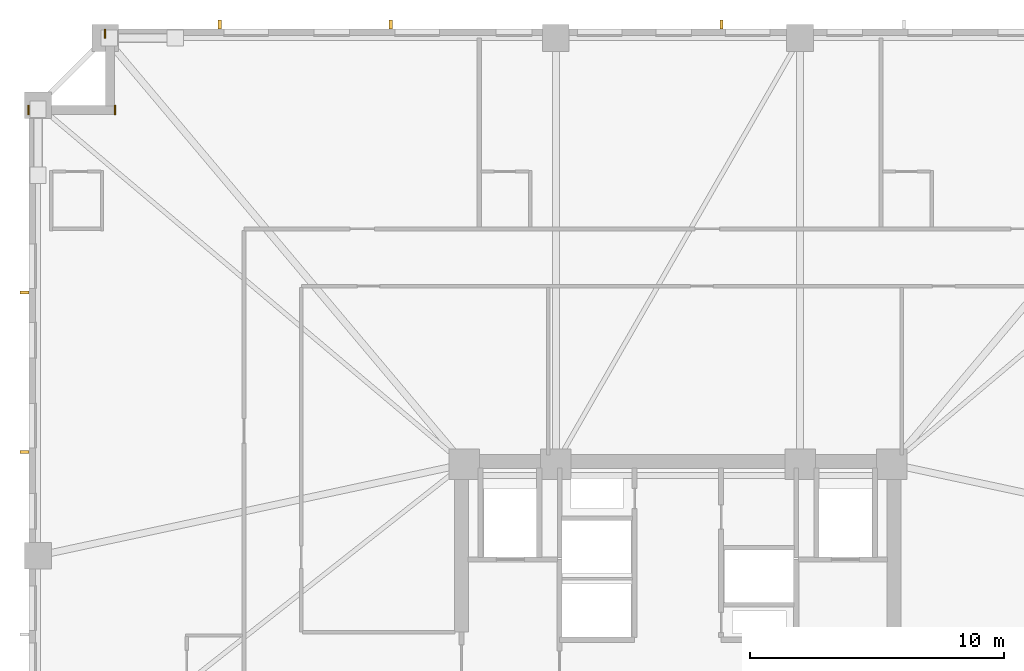
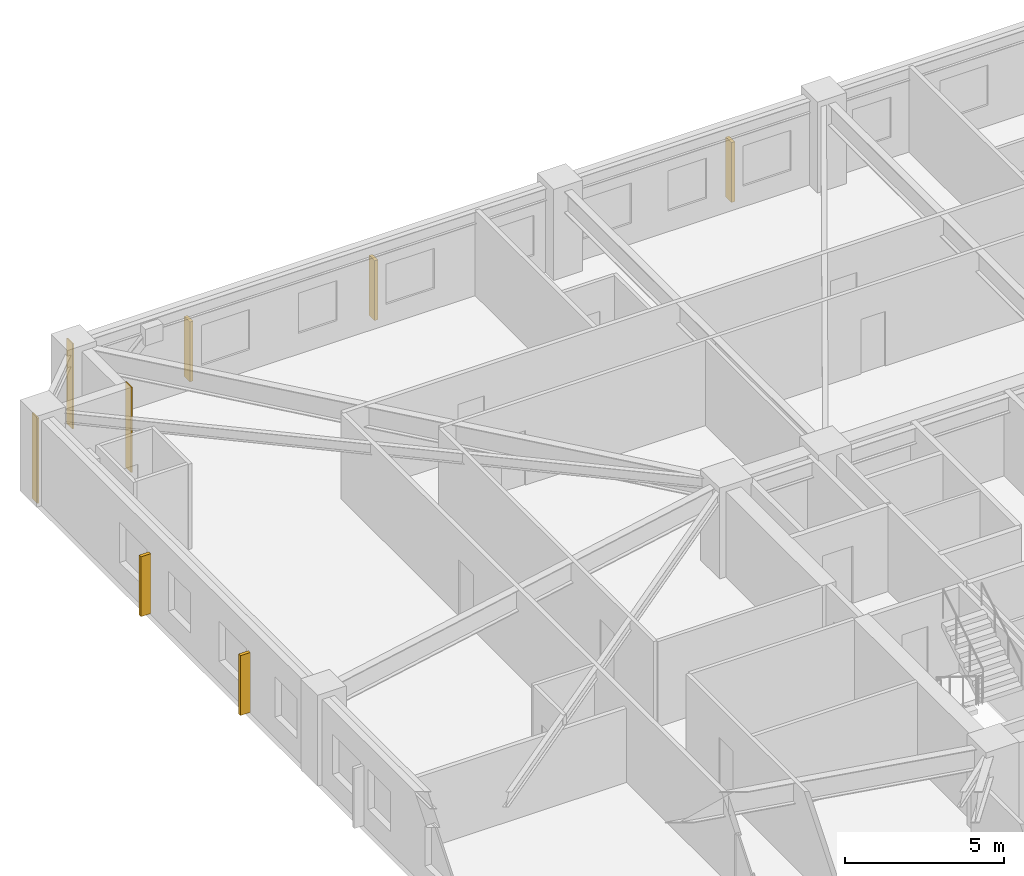
# One storey, part 10 of 11: 5 shading devices, 3 coverings.
"""IFC4 building model written with IfcOpenShell, lengths in metres."""

from ifc_helpers import new_model, si_unit, direction, frame, frame_2d, origin, origin_2d, place, context, subcontext, project, spatial, rectangle, extrude, material, layer, layer_set, type_object, element, save


model = new_model("IFC4")

# Units and contexts
model_context = context("Model", 3, precision=1e-05, world=origin(), true_north=direction((0.0, 1.0)))
body_context = subcontext(model_context, "Body", "Model", "MODEL_VIEW")
ifc_project = project(units=[si_unit("LENGTHUNIT", "METRE"), si_unit("AREAUNIT", "SQUARE_METRE"), si_unit("VOLUMEUNIT", "CUBIC_METRE"), si_unit("PLANEANGLEUNIT", "RADIAN"), si_unit("MASSUNIT", "GRAM", prefix="KILO")], contexts=[model_context])

# Site, building, storey
site_placement = place(None, origin())
site = spatial("IfcSite", under=ifc_project, at=site_placement, CompositionType="ELEMENT")
building_placement = place(site_placement, origin())
building = spatial("IfcBuilding", under=site, at=building_placement, Name="Cairnveth Concourse Tower", CompositionType="ELEMENT")
storey_placement = place(building_placement, frame((0.0, 0.0, 72.5)))
storey = spatial("IfcBuildingStorey", under=building, at=storey_placement, Name="L19", CompositionType="ELEMENT", Elevation=72.5)

# Coverings
ifc_material_1 = material(Name="Dressed Melbourne Bluestone Cladding", Category="masonry")
ifc_layer = layer(ifc_material_1, 0.050048828125)
ifc_layer_set = layer_set([ifc_layer], Name="Dressed Melbourne Bluestone Cladding")
covering_type = type_object("IfcCoveringType", Name="DRESSED BLUESTONE PLINTH CLADDING 50", PredefinedType="CLADDING", material=ifc_layer_set)
for number, where, z_axis, x_axis, name in (
    (1, (26.47998046875, 61.139892578125, 0.0), (0.0, 0.0, 1.0), (0.0, 1.0, 0.0), "Melbourne Bluestone Corner Quoin L19-254"),
    (2, (29.8798828125, 61.139892578125, 0.0), (0.0, 0.0, 1.0), (0.0, 1.0, 0.0), "Melbourne Bluestone Corner Quoin L19-255"),
    (3, (29.47998046875, 64.139892578125, 0.0), (0.0, 0.0, 1.0), (0.0, 1.0, 0.0), "Melbourne Bluestone Corner Quoin L19-256"),
):
    element("IfcCovering", number, at=place(storey_placement, frame(where, z_axis=z_axis, x_axis=x_axis)), inside=storey, type_object=covering_type, Name=name, PredefinedType="CLADDING", context=body_context, shape_type="SweptSolid", body=[
        extrude(rectangle(XDim=0.360107421875, YDim=0.050048828125, at=frame_2d((0.18017578125, 0.0))), origin(), (0.0, 0.0, 1.0), 3.280029296875),
    ])

# Shading devices
ifc_material_2 = material(Name="Architectural Bronze Anodised Aluminium 6063-T6", Category="aluminium")
shading_device_type = type_object("IfcShadingDeviceType", Name="GOTHIC BRONZE VERTICAL LANCET FIN", PredefinedType="USERDEFINED", material=ifc_material_2)
for number, where, z_axis, x_axis, name in (
    (4, (26.324951171875, 47.87646484375, 0.02978515625), (0.0, 0.0, 1.0), (0.0, 1.0, 0.0), "Gothic Bronze Vertical Fin L19-6-9"),
    (5, (26.324951171875, 54.14697265625, 0.02978515625), (0.0, 0.0, 1.0), (0.0, 1.0, 0.0), "Gothic Bronze Vertical Fin L19-6-11"),
    (6, (33.9951171875, 64.675048828125, 0.02978515625), (0.0, 0.0, 1.0), (1.0, 0.0, 0.0), "Gothic Bronze Vertical Fin L19-9-1"),
    (7, (40.715576171875, 64.675048828125, 0.02978515625), (0.0, 0.0, 1.0), (1.0, 0.0, 0.0), "Gothic Bronze Vertical Fin L19-9-3"),
    (8, (53.706298828125, 64.675048828125, 0.02978515625), (0.0, 0.0, 1.0), (1.0, 0.0, 0.0), "Gothic Bronze Vertical Fin L19-9-7"),
):
    element("IfcShadingDevice", number, at=place(storey_placement, frame(where, z_axis=z_axis, x_axis=x_axis)), inside=storey, type_object=shading_device_type, Name=name, ObjectType="VERTICAL FIN", PredefinedType="USERDEFINED", context=body_context, shape_type="SweptSolid", body=[
        extrude(rectangle(XDim=0.1201171875, YDim=0.360107421875, at=origin_2d()), origin(), (0.0, 0.0, 1.0), 2.303955078125),
    ])

save(model, "model.ifc")
